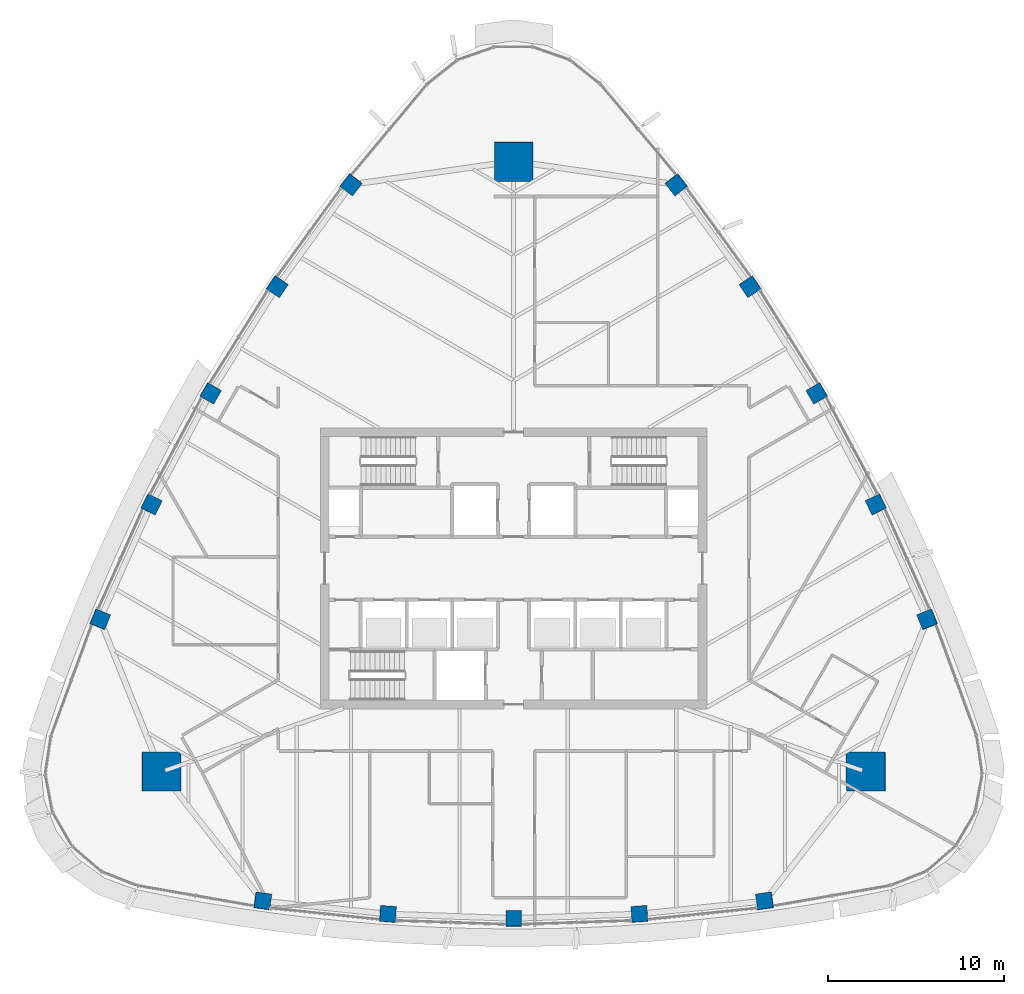
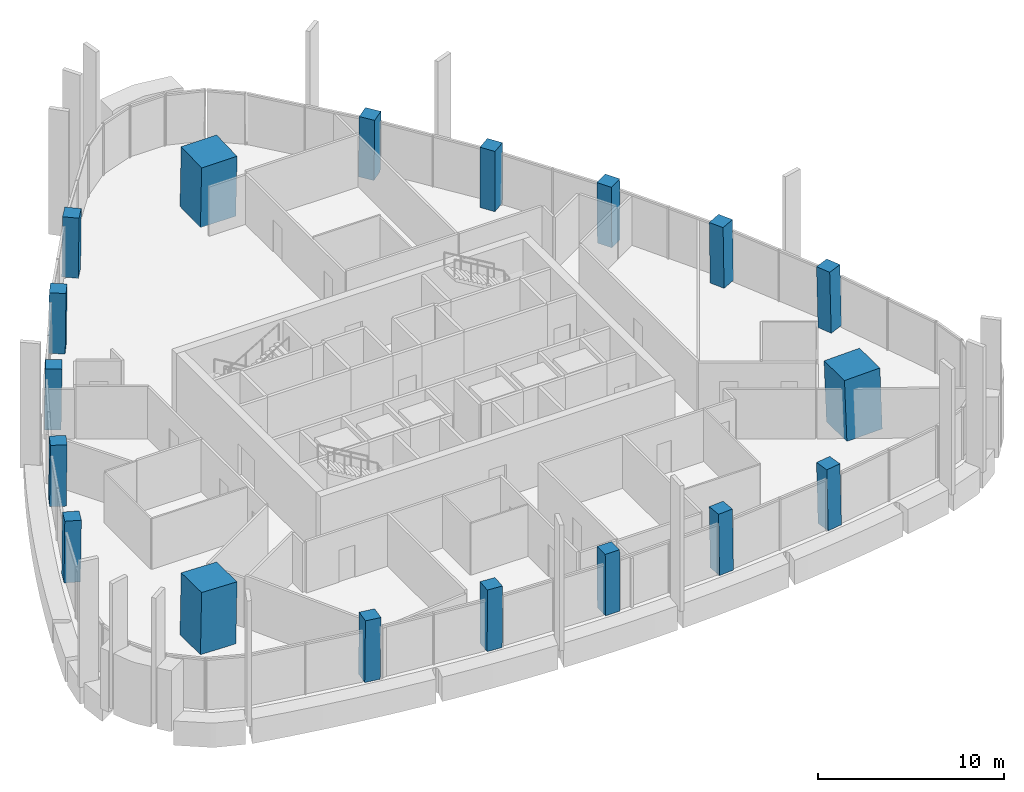
# One storey, part 1 of 19: 18 columns.
"""IFC4 building model written with IfcOpenShell, lengths in metres."""

from ifc_helpers import new_model, si_unit, direction, frame, origin, origin_2d, place, context, subcontext, project, spatial, rectangle, extrude, material, material_profile, profile_set, type_object, element, save


model = new_model("IFC4")

# Units and contexts
model_context = context("Model", 3, precision=1e-05, world=origin(), true_north=direction((0.0, 1.0)))
body_context = subcontext(model_context, "Body", "Model", "MODEL_VIEW")
ifc_project = project(units=[si_unit("LENGTHUNIT", "METRE"), si_unit("AREAUNIT", "SQUARE_METRE"), si_unit("VOLUMEUNIT", "CUBIC_METRE"), si_unit("PLANEANGLEUNIT", "RADIAN"), si_unit("MASSUNIT", "GRAM", prefix="KILO")], contexts=[model_context])

# Site, building, storey
site_placement = place(None, origin())
site = spatial("IfcSite", under=ifc_project, at=site_placement, CompositionType="ELEMENT")
building_placement = place(site_placement, origin())
building = spatial("IfcBuilding", under=site, at=building_placement, Name="Sierra Prisma Convention Tower", CompositionType="ELEMENT")
storey_placement = place(building_placement, frame((0.0, 0.0, 311.0)))
storey = spatial("IfcBuildingStorey", under=building, at=storey_placement, Name="L71", CompositionType="ELEMENT", Elevation=311.0)

# Columns
ifc_material_1 = material(Name="Concrete C50/60", Category="concrete")
ifc_material_profile_1 = material_profile(ifc_material_1, rectangle(XDim=2.199951171875, YDim=2.199951171875, at=origin_2d()), Name="Mega column RC 2200 C50/60")
ifc_profile_set_1 = profile_set([ifc_material_profile_1], Name="Concrete C50/60")
column_type_1 = type_object("IfcColumnType", Name="Mega column RC 2200 C50/60", PredefinedType="COLUMN", material=ifc_profile_set_1)
for number, where, z_axis, x_axis, name in (
    (1, (20.0673828125, -11.5859375, 0.0), (-0.027695790401, 0.015983033227, 0.999488612163), (0.999616398022, 0.00044283261, 0.027692249912), "Mega column SE L71"),
    (2, (0.0, 23.171875, 0.0), (0.0, -0.031966077398, 0.999488954364), (1.0, 0.0, 0.0), "Mega column N L71"),
    (3, (-20.0673828125, -11.5859375, 0.0), (0.027695790401, 0.015983033227, 0.999488612163), (0.999616398022, -0.00044283261, -0.027692249912), "Mega column SW L71"),
):
    element("IfcColumn", number, at=place(storey_placement, frame(where, z_axis=z_axis, x_axis=x_axis)), inside=storey, type_object=column_type_1, Name=name, PredefinedType="COLUMN", context=body_context, shape_type="SweptSolid", body=[
        extrude(rectangle(XDim=2.199951171875, YDim=2.199951171875, at=origin_2d()), origin(), (0.0, 0.0, 1.0), 4.001953125),
    ])
ifc_material_2 = material(Name="Concrete C50/60", Category="concrete")
ifc_material_profile_2 = material_profile(ifc_material_2, rectangle(XDim=0.89990234375, YDim=0.89990234375, at=origin_2d()), Name="Perimeter column RC 900 C50/60")
ifc_profile_set_2 = profile_set([ifc_material_profile_2], Name="Concrete C50/60")
column_type_2 = type_object("IfcColumnType", Name="Perimeter column RC 900 C50/60", PredefinedType="COLUMN", material=ifc_profile_set_2)
column_1_placement = place(storey_placement, frame((-14.292724609375, -18.940185546875, 0.0), z_axis=(0.017391452496, 0.010373848857, 0.999794939295), x_axis=(-0.990333494327, 0.137804297065, 0.01579701632)))
element("IfcColumn", 4, at=column_1_placement, inside=storey, type_object=column_type_2, Name="Perimeter column S-1 L71", PredefinedType="COLUMN", context=body_context, shape_type="SweptSolid", body=[
    extrude(rectangle(XDim=0.89990234375, YDim=0.89990234375, at=origin_2d()), origin(), (0.0, 0.0, 1.0), 4.000732421875),
])
column_2_placement = place(storey_placement, frame((-7.16357421875, -19.68115234375, 0.0), z_axis=(0.008727156526, 0.011107290124, 0.999900227445), x_axis=(-0.997580055995, 0.069072384326, 0.00793962244)))
element("IfcColumn", 5, at=column_2_placement, inside=storey, type_object=column_type_2, Name="Perimeter column S-2 L71", PredefinedType="COLUMN", context=body_context, shape_type="SweptSolid", body=[
    extrude(rectangle(XDim=0.89990234375, YDim=0.89990234375, at=origin_2d()), origin(), (0.0, 0.0, 1.0), 4.00048828125),
])
column_3_placement = place(storey_placement, frame((0.0, -19.9287109375, 0.0), z_axis=(0.0, 0.011473854038, 0.99993417317), x_axis=(1.0, 0.0, 0.0)))
element("IfcColumn", 6, at=column_3_placement, inside=storey, type_object=column_type_2, Name="Perimeter column S-3 L71", PredefinedType="COLUMN", context=body_context, shape_type="SweptSolid", body=[
    extrude(rectangle(XDim=0.89990234375, YDim=0.89990234375, at=origin_2d()), origin(), (0.0, 0.0, 1.0), 4.000244140625),
])
column_4_placement = place(storey_placement, frame((7.16357421875, -19.68115234375, 0.0), z_axis=(-0.008727156526, 0.011107290124, 0.999900227445), x_axis=(0.997580055995, 0.069072384326, 0.00793962244)))
element("IfcColumn", 7, at=column_4_placement, inside=storey, type_object=column_type_2, Name="Perimeter column S-4 L71", PredefinedType="COLUMN", context=body_context, shape_type="SweptSolid", body=[
    extrude(rectangle(XDim=0.89990234375, YDim=0.89990234375, at=origin_2d()), origin(), (0.0, 0.0, 1.0), 4.00048828125),
])
for number, where, z_axis, x_axis, name in (
    (8, (14.292724609375, -18.940185546875, 0.0), (-0.017391452496, 0.010373848857, 0.999794939295), (0.990333494327, 0.137804297065, 0.01579701632), "Perimeter column S-5 L71"),
    (9, (23.54931640625, -2.90771484375, 0.0), (-0.017696558482, 0.009885663704, 0.999794531627), (-0.375989104958, 0.926489098451, -0.015815922509), "Perimeter column NE-1 L71"),
):
    element("IfcColumn", number, at=place(storey_placement, frame(where, z_axis=z_axis, x_axis=x_axis)), inside=storey, type_object=column_type_2, Name=name, PredefinedType="COLUMN", context=body_context, shape_type="SweptSolid", body=[
        extrude(rectangle(XDim=0.89990234375, YDim=0.89990234375, at=origin_2d()), origin(), (0.0, 0.0, 1.0), 4.000732421875),
    ])
column_5_placement = place(storey_placement, frame((20.626220703125, 3.636962890625, 0.0), z_axis=(-0.014036676147, 0.001952928855, 0.999899573853), x_axis=(-0.439027393536, 0.898438787619, -0.007917867536)))
element("IfcColumn", 10, at=column_5_placement, inside=storey, type_object=column_type_2, Name="Perimeter column NE-2 L71", PredefinedType="COLUMN", context=body_context, shape_type="SweptSolid", body=[
    extrude(rectangle(XDim=0.89990234375, YDim=0.89990234375, at=origin_2d()), origin(), (0.0, 0.0, 1.0), 4.00048828125),
])
column_6_placement = place(storey_placement, frame((17.258544921875, 9.96435546875, 0.0), z_axis=(-0.009887049298, -0.00573692984, 0.999934664812), x_axis=(-0.499975560967, 0.866039512843, 2.5126546e-05)))
element("IfcColumn", 11, at=column_6_placement, inside=storey, type_object=column_type_2, Name="Perimeter column NE-3 L71", PredefinedType="COLUMN", context=body_context, shape_type="SweptSolid", body=[
    extrude(rectangle(XDim=0.89990234375, YDim=0.89990234375, at=origin_2d()), origin(), (0.0, 0.0, 1.0), 4.000244140625),
])
column_7_placement = place(storey_placement, frame((13.462646484375, 16.044189453125, 0.0), z_axis=(-0.00530952661, -0.013121243922, 0.999899815924), x_axis=(-0.558539524226, 0.829440110709, 0.007918498852)))
element("IfcColumn", 12, at=column_7_placement, inside=storey, type_object=column_type_2, Name="Perimeter column NE-4 L71", PredefinedType="COLUMN", context=body_context, shape_type="SweptSolid", body=[
    extrude(rectangle(XDim=0.89990234375, YDim=0.89990234375, at=origin_2d()), origin(), (0.0, 0.0, 1.0), 4.00048828125),
])
for number, where, z_axis, x_axis, name in (
    (13, (9.25634765625, 21.84814453125, 0.0), (-0.000244090509, -0.020259512254, 0.999794725223), (-0.614435286735, 0.788808315302, 0.015834144259), "Perimeter column NE-5 L71"),
    (14, (-9.25634765625, 21.84814453125, 0.0), (0.000244090509, -0.020259512254, 0.999794725223), (0.614435286735, 0.788808315302, 0.015834144259), "Perimeter column NW-1 L71"),
):
    element("IfcColumn", number, at=place(storey_placement, frame(where, z_axis=z_axis, x_axis=x_axis)), inside=storey, type_object=column_type_2, Name=name, PredefinedType="COLUMN", context=body_context, shape_type="SweptSolid", body=[
        extrude(rectangle(XDim=0.89990234375, YDim=0.89990234375, at=origin_2d()), origin(), (0.0, 0.0, 1.0), 4.000732421875),
    ])
column_8_placement = place(storey_placement, frame((-13.462646484375, 16.044189453125, 0.0), z_axis=(0.00530952661, -0.013121243922, 0.999899815924), x_axis=(0.558539524226, 0.829440110709, 0.007918498852)))
element("IfcColumn", 15, at=column_8_placement, inside=storey, type_object=column_type_2, Name="Perimeter column NW-2 L71", PredefinedType="COLUMN", context=body_context, shape_type="SweptSolid", body=[
    extrude(rectangle(XDim=0.89990234375, YDim=0.89990234375, at=origin_2d()), origin(), (0.0, 0.0, 1.0), 4.00048828125),
])
column_9_placement = place(storey_placement, frame((-17.258544921875, 9.96435546875, 0.0), z_axis=(0.009887049298, -0.00573692984, 0.999934664812), x_axis=(0.499975560967, 0.866039512843, 2.5126546e-05)))
element("IfcColumn", 16, at=column_9_placement, inside=storey, type_object=column_type_2, Name="Perimeter column NW-3 L71", PredefinedType="COLUMN", context=body_context, shape_type="SweptSolid", body=[
    extrude(rectangle(XDim=0.89990234375, YDim=0.89990234375, at=origin_2d()), origin(), (0.0, 0.0, 1.0), 4.000244140625),
])
column_10_placement = place(storey_placement, frame((-20.626220703125, 3.636962890625, 0.0), z_axis=(0.014036676147, 0.001952928855, 0.999899573853), x_axis=(0.439027393536, 0.898438787619, -0.007917867536)))
element("IfcColumn", 17, at=column_10_placement, inside=storey, type_object=column_type_2, Name="Perimeter column NW-4 L71", PredefinedType="COLUMN", context=body_context, shape_type="SweptSolid", body=[
    extrude(rectangle(XDim=0.89990234375, YDim=0.89990234375, at=origin_2d()), origin(), (0.0, 0.0, 1.0), 4.00048828125),
])
column_11_placement = place(storey_placement, frame((-23.54931640625, -2.90771484375, 0.0), z_axis=(0.017696558482, 0.009885663704, 0.999794531627), x_axis=(0.375989104958, 0.926489098451, -0.015815922509)))
element("IfcColumn", 18, at=column_11_placement, inside=storey, type_object=column_type_2, Name="Perimeter column NW-5 L71", PredefinedType="COLUMN", context=body_context, shape_type="SweptSolid", body=[
    extrude(rectangle(XDim=0.89990234375, YDim=0.89990234375, at=origin_2d()), origin(), (0.0, 0.0, 1.0), 4.000732421875),
])

save(model, "model.ifc")
